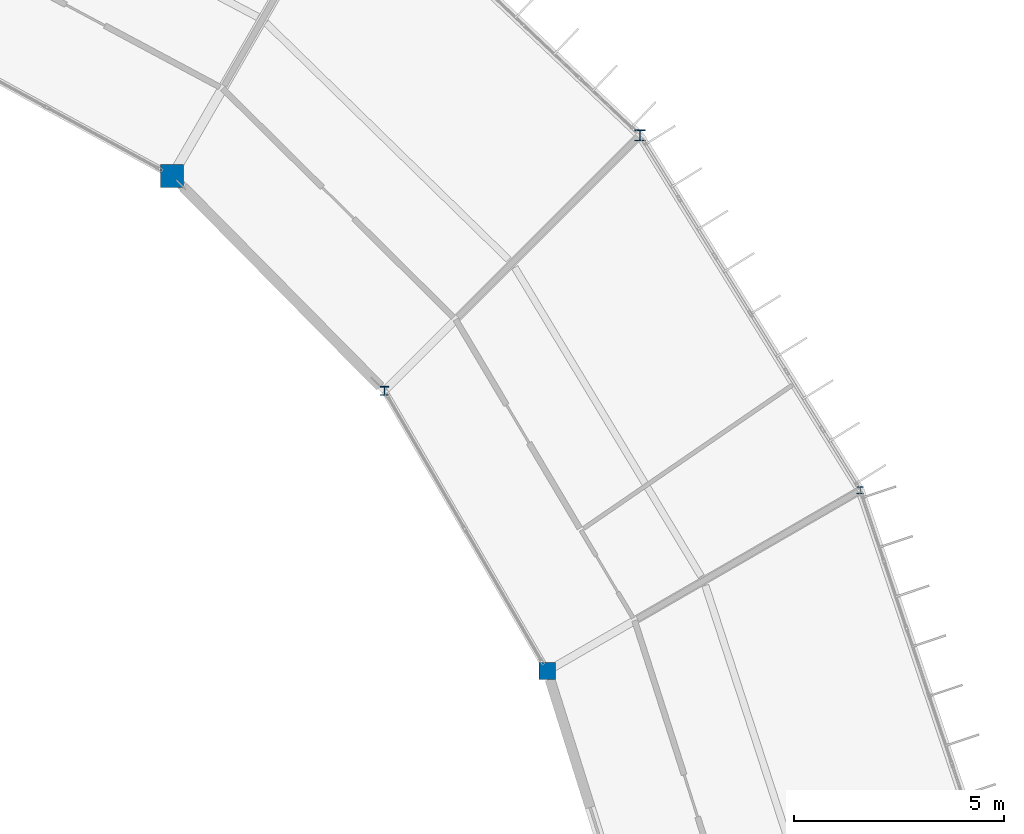
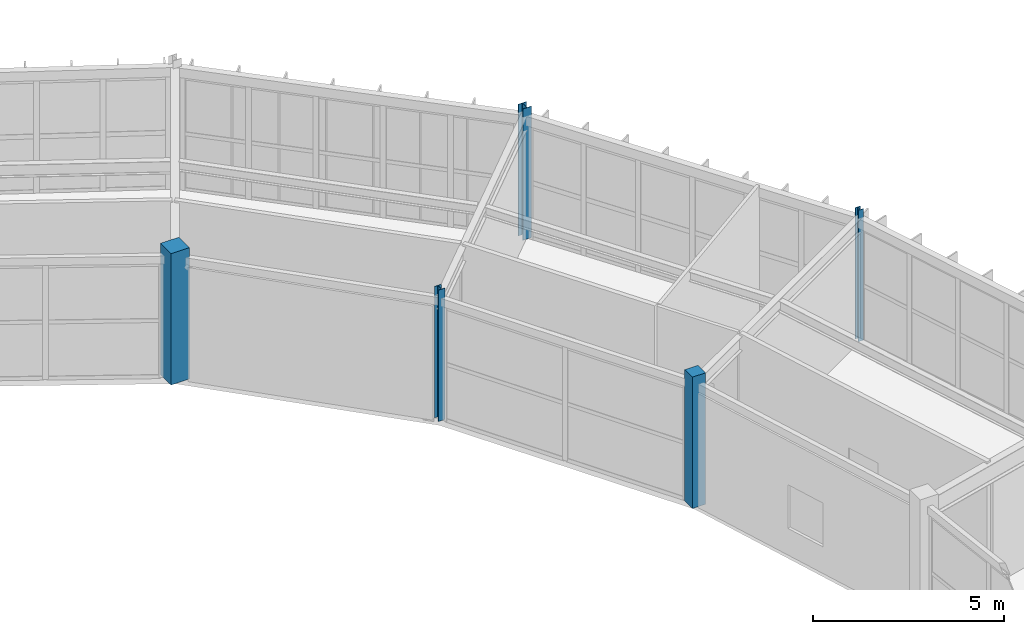
# One storey, part 13 of 106: 5 columns.
"""IFC4 building model written with IfcOpenShell, lengths in metres."""

import ifcopenshell
import ifcopenshell.guid

model = None  # the IFC model being written
_history = None  # IfcOwnerHistory: only IFC2X3 demands one
_inside = {}  # id of a spatial element -> (the spatial element, [elements in it])
_under = {}  # id of a project, library or spatial element -> (it, [spatial elements below it])
_declared = {}  # id of a project -> (the project, [libraries it declares])
_typed = {}  # id of a type object -> (the type object, [elements of that type])
_made_of = {}  # id of a material, layer set ... -> (it, [elements and type objects made of it])


def new_model(schema):
    """Start an empty IFC model of exactly this schema.

    Asked for "IFC4X3", IfcOpenShell would pick the latest addendum, in which some entities
    have other attributes; the version numbers below select the first issue.
    IFC2X3 requires an IfcOwnerHistory on every rooted entity: one is made here for all.
    """
    global model, _history
    if schema == "IFC4X3":
        model = ifcopenshell.file(schema_version=(4, 3, 0, 0))
    else:
        model = ifcopenshell.file(schema=schema)
    _inside.clear()
    _under.clear()
    _declared.clear()
    _typed.clear()
    _made_of.clear()
    _history = None
    if model.schema == "IFC2X3":
        org = make("IfcOrganization", Name="unknown")
        user = make(
            "IfcPersonAndOrganization",
            ThePerson=make("IfcPerson", FamilyName="unknown"),
            TheOrganization=org,
        )
        app = make(
            "IfcApplication",
            ApplicationDeveloper=org,
            Version="unknown",
            ApplicationFullName="unknown",
            ApplicationIdentifier="unknown",
        )
        _history = make(
            "IfcOwnerHistory",
            OwningUser=user,
            OwningApplication=app,
            ChangeAction="ADDED",
            CreationDate=0,
        )
    return model


def make(cls, **values):
    """One entity of the class cls with the attributes given. An attribute that is None is left unset."""
    return model.create_entity(
        cls, **{name: value for name, value in values.items() if value is not None}
    )


def rooted(cls, **values):
    """An entity with a GlobalId (a new one), such as an element, a storey or a relation."""
    return make(cls, GlobalId=ifcopenshell.guid.new(), OwnerHistory=_history, **values)


def si_unit(unit_type, name, prefix=None):
    """IfcSIUnit, for example si_unit("LENGTHUNIT", "METRE", prefix="MILLI")."""
    return make("IfcSIUnit", UnitType=unit_type, Prefix=prefix, Name=name)


def assignment(units):
    """IfcUnitAssignment: the units of a project."""
    return None if units is None else make("IfcUnitAssignment", Units=units)


def point(xyz):
    """IfcCartesianPoint."""
    return None if xyz is None else make("IfcCartesianPoint", Coordinates=xyz)


def direction(xyz):
    """IfcDirection."""
    return None if xyz is None else make("IfcDirection", DirectionRatios=xyz)


def frame(location, z_axis=None, x_axis=None):
    """IfcAxis2Placement3D, a coordinate frame: its origin and axes. An axis left out is left unset."""
    return make(
        "IfcAxis2Placement3D",
        Location=point(location),
        Axis=direction(z_axis),
        RefDirection=direction(x_axis),
    )


def frame_2d(location, x_axis=None):
    """IfcAxis2Placement2D, a coordinate frame in the plane: its origin and x axis."""
    return make(
        "IfcAxis2Placement2D", Location=point(location), RefDirection=direction(x_axis)
    )


def origin():
    """The frame at (0, 0, 0) with its axes left unset."""
    return frame((0.0, 0.0, 0.0))


def origin_2d():
    """The frame at (0, 0) in the plane with its x axis left unset."""
    return frame_2d((0.0, 0.0))


def place(relative_to, where):
    """IfcLocalPlacement: puts the frame where relative to a parent placement (None: the world)."""
    return make(
        "IfcLocalPlacement", PlacementRelTo=relative_to, RelativePlacement=where
    )


def context(
    kind, dimensions, precision=None, world=None, true_north=None, identifier=None
):
    """IfcGeometricRepresentationContext, for example the 3D "Model" context."""
    return make(
        "IfcGeometricRepresentationContext",
        ContextIdentifier=identifier,
        ContextType=kind,
        CoordinateSpaceDimension=dimensions,
        Precision=precision,
        WorldCoordinateSystem=world,
        TrueNorth=true_north,
    )


def subcontext(parent, identifier, kind, view, scale=None):
    """IfcGeometricRepresentationSubContext, for example "Body" below "Model"."""
    return make(
        "IfcGeometricRepresentationSubContext",
        ContextIdentifier=identifier,
        ContextType=kind,
        ParentContext=parent,
        TargetScale=scale,
        TargetView=view,
    )


def project(units=None, contexts=None):
    """IfcProject with its units and contexts."""
    return rooted(
        "IfcProject",
        Name="project",
        RepresentationContexts=contexts,
        UnitsInContext=assignment(units),
    )


def spatial(cls, under=None, at=None, **own):
    """A site, building, storey or space (cls), placed at a placement, below another one or the project."""
    s = rooted(cls, ObjectPlacement=at, **own)
    if under is not None:
        _under.setdefault(under.id(), (under, []))[1].append(s)
    return s


def profile(cls, at=None, kind="AREA", **sizes):
    """A parametric profile (cls). Its sizes go by their IFC names, for example OverallWidth=200.0."""
    return make(cls, ProfileType=kind, Position=at, **sizes)


def rectangle(**sizes):
    """IfcRectangleProfileDef."""
    return profile("IfcRectangleProfileDef", **sizes)


def i_section(**sizes):
    """IfcIShapeProfileDef."""
    return profile("IfcIShapeProfileDef", **sizes)


def extrude(swept, where, along, depth):
    """IfcExtrudedAreaSolid: the profile swept, set in the frame where, extruded along a direction by depth."""
    return make(
        "IfcExtrudedAreaSolid",
        SweptArea=swept,
        Position=where,
        ExtrudedDirection=direction(along),
        Depth=depth,
    )


def shape(context_of_items, identifier, shape_type, items):
    """IfcShapeRepresentation: the items that make up one representation, for example the "Body"."""
    return make(
        "IfcShapeRepresentation",
        ContextOfItems=context_of_items,
        RepresentationIdentifier=identifier,
        RepresentationType=shape_type,
        Items=items,
    )


def material(Name=None, Category=None):
    """IfcMaterial."""
    return make("IfcMaterial", Name=Name, Category=Category)


def material_profile(
    of_material, cross_section, Name=None, Category=None, Priority=None
):
    """IfcMaterialProfile: a cross section and its material."""
    return make(
        "IfcMaterialProfile",
        Name=Name,
        Material=of_material,
        Profile=cross_section,
        Priority=Priority,
        Category=Category,
    )


def profile_set(profiles, Name=None, composite=None):
    """IfcMaterialProfileSet."""
    return make(
        "IfcMaterialProfileSet",
        Name=Name,
        MaterialProfiles=profiles,
        CompositeProfile=composite,
    )


def made_of(thing, what):
    """Note that an element or type object is made of a material, layer set ...; save() writes the relation."""
    if what is not None:
        _made_of.setdefault(what.id(), (what, []))[1].append(thing)
    return thing


def type_object(cls, material=None, **own):
    """A type object (cls), such as IfcWallType, which elements share."""
    return made_of(rooted(cls, **own), material)


def element(
    cls,
    number,
    at=None,
    inside=None,
    cuts=None,
    type_object=None,
    material=None,
    context=None,
    identifier="Body",
    shape_type=None,
    held_by="IfcProductDefinitionShape",
    body=None,
    shapes=None,
    **own,
):
    """One element of the class cls, such as IfcWall. Its Tag is "e" and its number.

    at: its placement. inside: the storey or other place that contains it. cuts: it is an
    opening in that element (IfcRelVoidsElement). A single representation is given by context,
    identifier, shape_type and body (its items); several are given by shapes. held_by: the class
    of the entity that holds the representations. save() writes the other relations.
    """
    e = rooted(cls, Tag="e%d" % number, ObjectPlacement=at, **own)
    if body is not None:
        shapes = [shape(context, identifier, shape_type, body)]
    if shapes is not None:
        e.Representation = make(held_by, Representations=shapes)
    if inside is not None:
        _inside.setdefault(inside.id(), (inside, []))[1].append(e)
    if cuts is not None:
        rooted(
            "IfcRelVoidsElement", RelatingBuildingElement=cuts, RelatedOpeningElement=e
        )
    if type_object is not None:
        _typed.setdefault(type_object.id(), (type_object, []))[1].append(e)
    return made_of(e, material)


def aggregate(whole, parts):
    """IfcRelAggregates: a whole, such as a stair, and the parts it consists of."""
    return rooted("IfcRelAggregates", RelatingObject=whole, RelatedObjects=parts)


def save(model, path):
    """Write the relations noted so far, then the file.

    IfcRelAggregates (storeys below a building ...), IfcRelContainedInSpatialStructure (elements
    in a storey), IfcRelDefinesByType, IfcRelAssociatesMaterial and IfcRelDeclares: one each for
    every whole, place, type object, material and project.
    """
    for whole, parts in _under.values():
        aggregate(whole, parts)
    for where, things in _inside.values():
        rooted(
            "IfcRelContainedInSpatialStructure",
            RelatedElements=things,
            RelatingStructure=where,
        )
    for kind, things in _typed.values():
        rooted("IfcRelDefinesByType", RelatedObjects=things, RelatingType=kind)
    for what, things in _made_of.values():
        rooted("IfcRelAssociatesMaterial", RelatedObjects=things, RelatingMaterial=what)
    for by, libraries in _declared.values():
        rooted("IfcRelDeclares", RelatingContext=by, RelatedDefinitions=libraries)
    model.write(path)


model = new_model("IFC4")

# Units and contexts
model_context = context("Model", 3, precision=1e-05, world=origin(), true_north=direction((0.0, 1.0)))
body_context = subcontext(model_context, "Body", "Model", "MODEL_VIEW")
ifc_project = project(units=[si_unit("LENGTHUNIT", "METRE"), si_unit("AREAUNIT", "SQUARE_METRE"), si_unit("VOLUMEUNIT", "CUBIC_METRE"), si_unit("PLANEANGLEUNIT", "RADIAN"), si_unit("MASSUNIT", "GRAM", prefix="KILO")], contexts=[model_context])

# Site, building, storey
site_placement = place(None, origin())
site = spatial("IfcSite", under=ifc_project, at=site_placement, CompositionType="ELEMENT")
building_placement = place(site_placement, origin())
building = spatial("IfcBuilding", under=site, at=building_placement, Name="Karori Crest Natural Sciences Institute", CompositionType="ELEMENT")
storey_placement = place(building_placement, frame((0.0, 0.0, 25.89990234375)))
storey = spatial("IfcBuildingStorey", under=building, at=storey_placement, Name="L06", CompositionType="ELEMENT", Elevation=25.89990234375)

# Columns
ifc_material_1 = material(Name="Structural steel AS/NZS 3679.1 Grade 350", Category="steel")
ifc_material_profile_1 = material_profile(ifc_material_1, i_section(OverallWidth=0.256103515625, OverallDepth=0.260009765625, WebThickness=0.010498046875, FlangeThickness=0.017333984375, FilletRadius=0.013916015625, at=origin_2d()), Name="250UC89.5")
ifc_profile_set_1 = profile_set([ifc_material_profile_1], Name="Structural steel AS/NZS 3679.1 Grade 350")
column_type_1 = type_object("IfcColumnType", Name="CT-06", PredefinedType="COLUMN", material=ifc_profile_set_1)
column_1_placement = place(storey_placement, frame((89.734619140625, 78.75, 0.0), z_axis=(0.0, 0.0, 1.0), x_axis=(1.0, 0.0, 0.0)))
element("IfcColumn", 1, at=column_1_placement, inside=storey, type_object=column_type_1, Name="Column C-0069", PredefinedType="COLUMN", context=body_context, shape_type="SweptSolid", body=[
    extrude(i_section(OverallWidth=0.256103515625, OverallDepth=0.260009765625, WebThickness=0.010498046875, FlangeThickness=0.017333984375, FilletRadius=0.013916015625, at=origin_2d()), origin(), (0.0, 0.0, 1.0), 4.2001953125),
])
ifc_material_profile_2 = material_profile(ifc_material_1, i_section(OverallWidth=0.205078125, OverallDepth=0.2099609375, WebThickness=0.00927734375, FlangeThickness=0.01416015625, FilletRadius=0.010986328125, at=origin_2d()), Name="200UC59.5")
ifc_profile_set_2 = profile_set([ifc_material_profile_2], Name="Structural steel AS/NZS 3679.1 Grade 350")
column_type_2 = type_object("IfcColumnType", Name="CT-08", PredefinedType="COLUMN", material=ifc_profile_set_2)
column_2_placement = place(storey_placement, frame((83.6533203125, 72.668701171875, 0.0), z_axis=(0.0, 0.0, 1.0), x_axis=(1.0, 0.0, 0.0)))
element("IfcColumn", 2, at=column_2_placement, inside=storey, type_object=column_type_2, Name="Column C-0070", PredefinedType="COLUMN", context=body_context, shape_type="SweptSolid", body=[
    extrude(i_section(OverallWidth=0.205078125, OverallDepth=0.2099609375, WebThickness=0.00927734375, FlangeThickness=0.01416015625, FilletRadius=0.010986328125, at=origin_2d()), origin(), (0.0, 0.0, 1.0), 4.2001953125),
])
ifc_material_profile_3 = material_profile(ifc_material_1, i_section(OverallWidth=0.154052734375, OverallDepth=0.162109375, WebThickness=0.008056640625, FlangeThickness=0.011474609375, FilletRadius=0.009033203125, at=origin_2d()), Name="150UC37.2")
ifc_profile_set_3 = profile_set([ifc_material_profile_3], Name="Structural steel AS/NZS 3679.1 Grade 350")
column_type_3 = type_object("IfcColumnType", Name="CT-26", PredefinedType="COLUMN", material=ifc_profile_set_3)
column_3_placement = place(storey_placement, frame((94.978759765625, 70.300048828125, 0.0), z_axis=(0.0, 0.0, 1.0), x_axis=(1.0, 0.0, 0.0)))
element("IfcColumn", 3, at=column_3_placement, inside=storey, type_object=column_type_3, Name="Column C-0051", PredefinedType="COLUMN", context=body_context, shape_type="SweptSolid", body=[
    extrude(i_section(OverallWidth=0.154052734375, OverallDepth=0.162109375, WebThickness=0.008056640625, FlangeThickness=0.011474609375, FilletRadius=0.009033203125, at=origin_2d()), origin(), (0.0, 0.0, 1.0), 4.2001953125),
])
ifc_material_2 = material(Name="Concrete 50 MPa", Category="concrete")
ifc_material_profile_4 = material_profile(ifc_material_2, rectangle(XDim=0.550048828125, YDim=0.550048828125, at=origin_2d()), Name="RC550x550")
ifc_profile_set_4 = profile_set([ifc_material_profile_4], Name="Concrete 50 MPa")
column_type_4 = type_object("IfcColumnType", Name="CT-30", PredefinedType="COLUMN", material=ifc_profile_set_4)
column_4_placement = place(storey_placement, frame((78.60009765625, 77.785888671875, 0.0), z_axis=(0.0, 0.0, 1.0), x_axis=(1.0, 0.0, 0.0)))
element("IfcColumn", 4, at=column_4_placement, inside=storey, type_object=column_type_4, Name="Column C-0088", PredefinedType="COLUMN", context=body_context, shape_type="SweptSolid", body=[
    extrude(rectangle(XDim=0.550048828125, YDim=0.550048828125, at=origin_2d()), origin(), (0.0, 0.0, 1.0), 4.2001953125),
])
ifc_material_profile_5 = material_profile(ifc_material_2, rectangle(XDim=0.39990234375, YDim=0.39990234375, at=origin_2d()), Name="RC400x400")
ifc_profile_set_5 = profile_set([ifc_material_profile_5], Name="Concrete 50 MPa")
column_type_5 = type_object("IfcColumnType", Name="CT-31", PredefinedType="PILASTER", material=ifc_profile_set_5)
column_5_placement = place(storey_placement, frame((87.531005859375, 66.0, 0.0), z_axis=(0.0, 0.0, 1.0), x_axis=(1.0, 0.0, 0.0)))
element("IfcColumn", 5, at=column_5_placement, inside=storey, type_object=column_type_5, Name="Column C-0052", PredefinedType="PILASTER", context=body_context, shape_type="SweptSolid", body=[
    extrude(rectangle(XDim=0.39990234375, YDim=0.39990234375, at=origin_2d()), origin(), (0.0, 0.0, 1.0), 4.2001953125),
])

save(model, "model.ifc")
